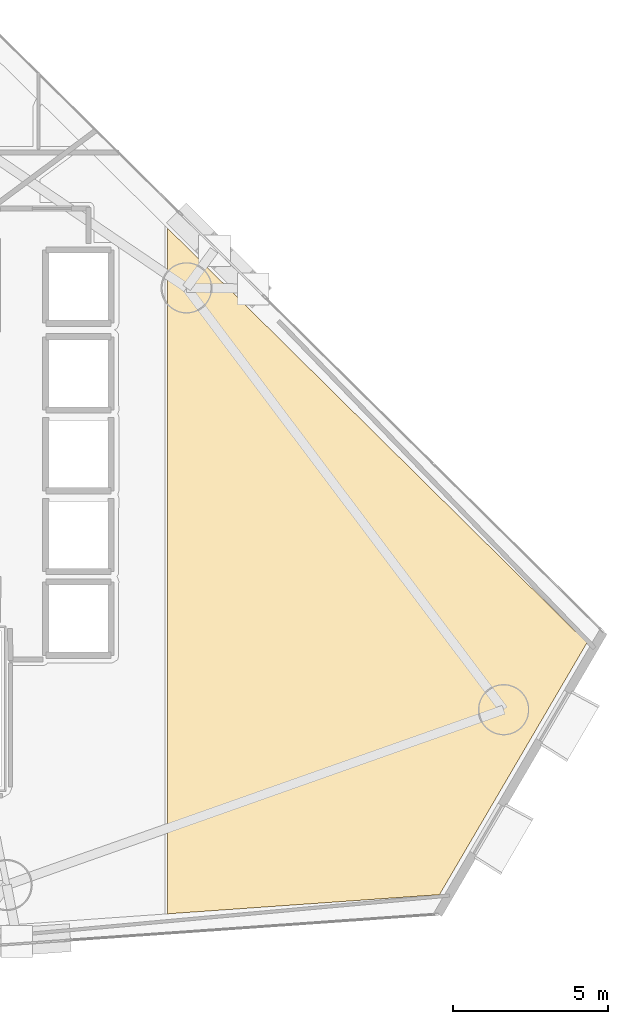
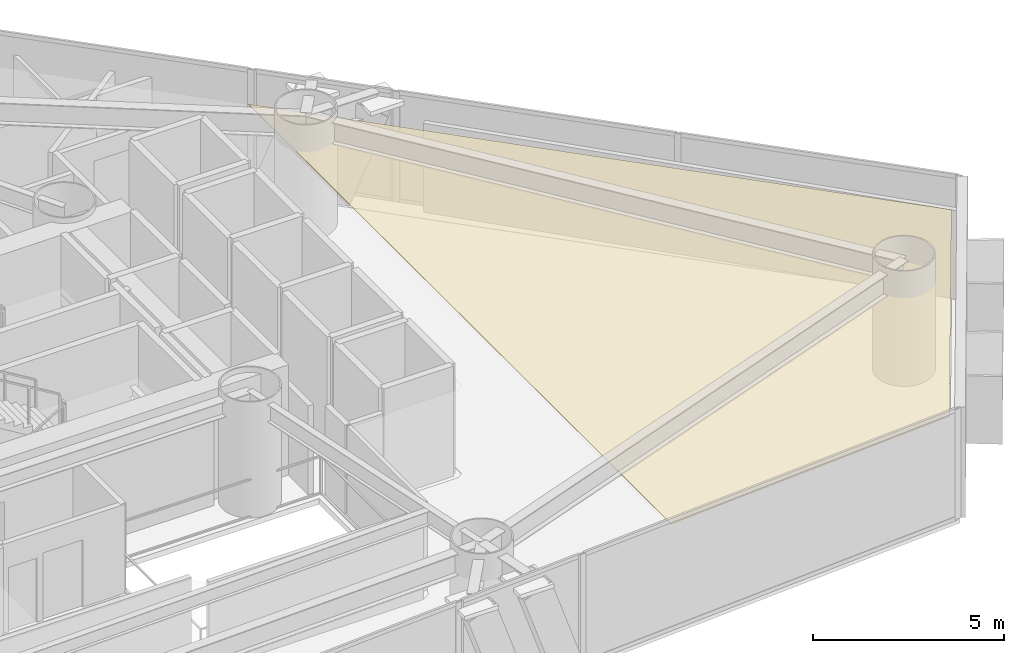
# One storey, part 24 of 24: 1 covering.
"""IFC4 building model written with IfcOpenShell, lengths in metres."""

from ifc_helpers import new_model, si_unit, direction, frame, origin, place, context, subcontext, project, spatial, polyline, outline, extrude, material, layer, layer_set, type_object, element, save


model = new_model("IFC4")

# Units and contexts
model_context = context("Model", 3, precision=1e-05, world=origin(), true_north=direction((0.0, 1.0)))
body_context = subcontext(model_context, "Body", "Model", "MODEL_VIEW")
ifc_project = project(units=[si_unit("LENGTHUNIT", "METRE"), si_unit("AREAUNIT", "SQUARE_METRE"), si_unit("VOLUMEUNIT", "CUBIC_METRE"), si_unit("PLANEANGLEUNIT", "RADIAN"), si_unit("MASSUNIT", "GRAM", prefix="KILO")], contexts=[model_context])

# Site, building, storey
site_placement = place(None, origin())
site = spatial("IfcSite", under=ifc_project, at=site_placement, CompositionType="ELEMENT")
building_placement = place(site_placement, origin())
building = spatial("IfcBuilding", under=site, at=building_placement, Name="Qianvela Tower", CompositionType="ELEMENT")
storey_placement = place(building_placement, frame((0.0, 0.0, 59.89990234375)))
storey = spatial("IfcBuildingStorey", under=building, at=storey_placement, Name="L14", CompositionType="ELEMENT", Elevation=59.89990234375)

# Covering
ifc_material = material(Name="Perforated Mineral Acoustic Ceiling Tile")
ifc_layer = layer(ifc_material, 0.02490234375)
ifc_layer_set = layer_set([ifc_layer], Name="Perforated Mineral Acoustic Ceiling Tile")
covering_type = type_object("IfcCoveringType", Name="COV-CEIL-ACOUSTIC-25", PredefinedType="CEILING", material=ifc_layer_set)
covering_placement = place(storey_placement, frame((0.0, 0.0, 2.815185546875)))
element("IfcCovering", 1, at=covering_placement, inside=storey, type_object=covering_type, Name="L14 Acoustic Ceiling Bay 2 Student Fitness Gym L14-02", PredefinedType="CEILING", context=body_context, shape_type="SweptSolid", body=[
    extrude(outline(polyline([(58.8818359375, 22.623779296875), (54.132080078125, 14.509521484375), (45.37060546875, 13.8916015625), (45.37060546875, 35.98193359375), (58.8818359375, 22.623779296875)])), origin(), (0.0, 0.0, 1.0), 0.02490234375),
])

save(model, "model.ifc")
